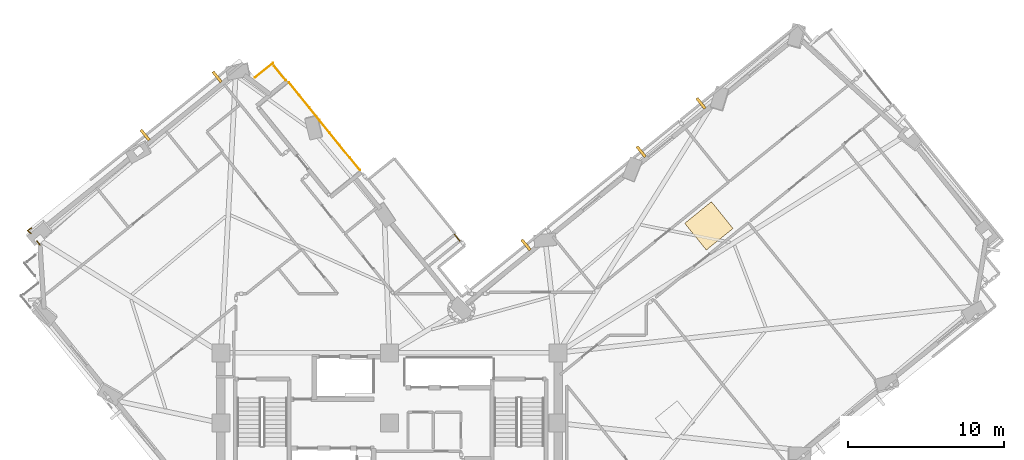
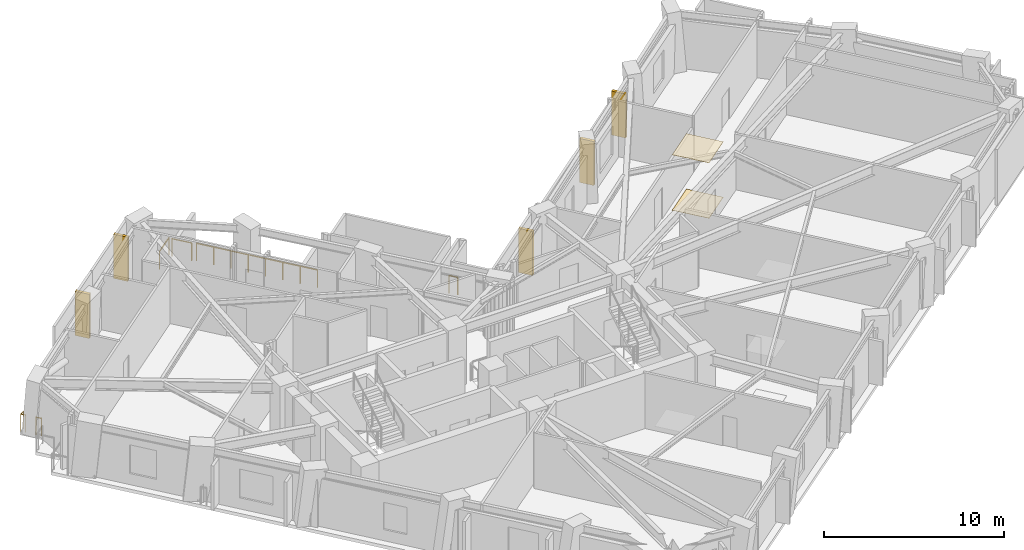
# One storey, part 13 of 14: 6 railings, 5 shading devices, 2 coverings.
"""IFC4 building model written with IfcOpenShell, lengths in metres."""

from ifc_helpers import new_model, si_unit, direction, frame, origin, origin_2d, place, context, subcontext, project, spatial, rectangle, circle, extrude, material, layer, layer_set, type_object, element, save


model = new_model("IFC4")

# Units and contexts
model_context = context("Model", 3, precision=1e-05, world=origin(), true_north=direction((0.0, 1.0)))
body_context = subcontext(model_context, "Body", "Model", "MODEL_VIEW")
ifc_project = project(units=[si_unit("LENGTHUNIT", "METRE"), si_unit("AREAUNIT", "SQUARE_METRE"), si_unit("VOLUMEUNIT", "CUBIC_METRE"), si_unit("PLANEANGLEUNIT", "RADIAN"), si_unit("MASSUNIT", "GRAM", prefix="KILO")], contexts=[model_context])

# Site, building, storey
site_placement = place(None, origin())
site = spatial("IfcSite", under=ifc_project, at=site_placement, CompositionType="ELEMENT")
building_placement = place(site_placement, origin())
building = spatial("IfcBuilding", under=site, at=building_placement, Name="Gaonmaruhae Medical Tower", CompositionType="ELEMENT")
storey_placement = place(building_placement, frame((0.0, 0.0, 189.800048828125)))
storey = spatial("IfcBuildingStorey", under=building, at=storey_placement, Name="L45", CompositionType="ELEMENT", Elevation=189.800048828125)

# Coverings
ifc_material_1 = material(Name="Acoustic mineral ceiling tile", Category="finish")
ifc_layer_1 = layer(ifc_material_1, 0.02490234375)
ifc_layer_set_1 = layer_set([ifc_layer_1], Name="Acoustic mineral ceiling tile")
covering_type_1 = type_object("IfcCoveringType", Name="CLG-01 Antimicrobial Acoustic Mineral Ceiling", PredefinedType="CEILING", material=ifc_layer_set_1)
covering_1_placement = place(storey_placement, frame((45.24853515625, 24.92578125, 3.7548828125), z_axis=(0.0, 0.0, 1.0), x_axis=(0.777694851116, 0.628641963719, 0.0)))
element("IfcCovering", 1, at=covering_1_placement, inside=storey, type_object=covering_type_1, Name="L45 Clinical Corridor Acoustic Ceiling", PredefinedType="CEILING", context=body_context, shape_type="SweptSolid", body=[
    extrude(rectangle(XDim=2.199951171875, YDim=2.199951171875, at=origin_2d()), origin(), (0.0, 0.0, 1.0), 0.02490234375),
])
ifc_material_2 = material(Name="Seamless clinical vinyl flooring", Category="finish")
ifc_layer_2 = layer(ifc_material_2, 0.014892578125)
ifc_layer_set_2 = layer_set([ifc_layer_2], Name="Seamless clinical vinyl flooring")
covering_type_2 = type_object("IfcCoveringType", Name="FLR-01 Seamless Clinical Antistatic Vinyl Flooring", PredefinedType="FLOORING", material=ifc_layer_set_2)
covering_2_placement = place(storey_placement, frame((45.24853515625, 24.92578125, 0.00048828125), z_axis=(0.0, 0.0, 1.0), x_axis=(0.777694851116, 0.628641963719, 0.0)))
element("IfcCovering", 2, at=covering_2_placement, inside=storey, type_object=covering_type_2, Name="L45 Clinical Corridor Vinyl Flooring", PredefinedType="FLOORING", context=body_context, shape_type="SweptSolid", body=[
    extrude(rectangle(XDim=2.199951171875, YDim=2.199951171875, at=origin_2d()), origin(), (0.0, 0.0, 1.0), 0.014892578125),
])

# Railings
ifc_material_3 = material(Name="Stainless steel 316L and laminated safety glass", Category="steel")
ifc_layer_3 = layer(ifc_material_3, 0.080078125)
ifc_layer_set_3 = layer_set([ifc_layer_3], Name="Stainless steel 316L and laminated safety glass")
railing_type = type_object("IfcRailingType", Name="GD-120 Outdoor Terrace Safety Glass & Steel Balustrade", PredefinedType="BALUSTRADE", material=ifc_layer_set_3)
railing_1_placement = place(storey_placement, frame((22.89892578125, 28.493896484375, 0.0)))
element("IfcRailing", 3, at=railing_1_placement, inside=storey, type_object=railing_type, Name="L45 Terrace Safety Guard RL-SLB-L45-TER-02", PredefinedType="BALUSTRADE", context=body_context, shape_type="SweptSolid", body=[
    extrude(circle(Radius=0.02392578125, at=origin_2d()), frame((0.0, 0.0, 1.17578125), z_axis=(-0.628640129979, 0.777696333398, 0.0), x_axis=(-0.777696333398, -0.628640129979, 0.0)), (0.0, 0.0, 1.0), 7.2001953125),
    extrude(circle(Radius=0.02099609375, at=origin_2d()), origin(), (0.0, 0.0, 1.0), 1.15185546875),
    extrude(circle(Radius=0.02099609375, at=origin_2d()), frame((-0.646728515625, 0.800048828125, 0.0)), (0.0, 0.0, 1.0), 1.15185546875),
    extrude(circle(Radius=0.02099609375, at=origin_2d()), frame((-1.293212890625, 1.599853515625, 0.0)), (0.0, 0.0, 1.0), 1.15185546875),
    extrude(circle(Radius=0.02099609375, at=origin_2d()), frame((-1.93994140625, 2.39990234375, 0.0)), (0.0, 0.0, 1.0), 1.15185546875),
    extrude(circle(Radius=0.02099609375, at=origin_2d()), frame((-2.58642578125, 3.19970703125, 0.0)), (0.0, 0.0, 1.0), 1.15185546875),
    extrude(circle(Radius=0.02099609375, at=origin_2d()), frame((-3.233154296875, 3.999755859375, 0.0)), (0.0, 0.0, 1.0), 1.15185546875),
    extrude(circle(Radius=0.02099609375, at=origin_2d()), frame((-3.879638671875, 4.799560546875, 0.0)), (0.0, 0.0, 1.0), 1.15185546875),
    extrude(circle(Radius=0.02099609375, at=origin_2d()), frame((-4.5263671875, 5.599609375, 0.0)), (0.0, 0.0, 1.0), 1.15185546875),
])
railing_2_placement = place(storey_placement, frame((2.423095703125, 23.71240234375, 0.0)))
element("IfcRailing", 4, at=railing_2_placement, inside=storey, type_object=railing_type, Name="L45 Perimeter Slab Edge Safety Balustrade 13", PredefinedType="BALUSTRADE", context=body_context, shape_type="SweptSolid", body=[
    extrude(circle(Radius=0.02392578125, at=origin_2d()), frame((0.0, 0.0, 1.17578125), z_axis=(-0.629241224047, 0.777210062956, 0.0), x_axis=(-0.777210062956, -0.629241224047, 0.0)), (0.0, 0.0, 1.0), 0.32666015625),
    extrude(circle(Radius=0.02099609375, at=origin_2d()), origin(), (0.0, 0.0, 1.0), 1.15185546875),
    extrude(circle(Radius=0.02099609375, at=origin_2d()), frame((-0.20556640625, 0.25390625, 0.0)), (0.0, 0.0, 1.0), 1.15185546875),
])
railing_3_placement = place(storey_placement, frame((16.197021484375, 34.4306640625, 0.0)))
element("IfcRailing", 5, at=railing_3_placement, inside=storey, type_object=railing_type, Name="L45 Perimeter Slab Edge Safety Balustrade 14", PredefinedType="BALUSTRADE", context=body_context, shape_type="SweptSolid", body=[
    extrude(circle(Radius=0.02392578125, at=origin_2d()), frame((0.0, 0.0, 1.17578125), z_axis=(0.777743081687, 0.628582292853, 0.0), x_axis=(-0.628582292853, 0.777743081687, 0.0)), (0.0, 0.0, 1.0), 1.4599609375),
    extrude(circle(Radius=0.02099609375, at=origin_2d()), origin(), (0.0, 0.0, 1.0), 1.15185546875),
    extrude(circle(Radius=0.02099609375, at=origin_2d()), frame((1.135498046875, 0.917724609375, 0.0)), (0.0, 0.0, 1.0), 1.15185546875),
])
railing_4_placement = place(storey_placement, frame((17.4130859375, 35.169189453125, 0.0)))
element("IfcRailing", 6, at=railing_4_placement, inside=storey, type_object=railing_type, Name="L45 Perimeter Slab Edge Safety Balustrade 15", PredefinedType="BALUSTRADE", context=body_context, shape_type="SweptSolid", body=[
    extrude(circle(Radius=0.02392578125, at=origin_2d()), frame((0.0, 0.0, 1.17578125), z_axis=(0.628674223639, -0.777668773021, 0.0), x_axis=(0.777668773021, 0.628674223639, 0.0)), (0.0, 0.0, 1.0), 1.1796875),
    extrude(circle(Radius=0.02099609375, at=origin_2d()), origin(), (0.0, 0.0, 1.0), 1.15185546875),
    extrude(circle(Radius=0.02099609375, at=origin_2d()), frame((0.74169921875, -0.91748046875, 0.0)), (0.0, 0.0, 1.0), 1.15185546875),
])
railing_5_placement = place(storey_placement, frame((28.968505859375, 24.37353515625, 0.0)))
element("IfcRailing", 7, at=railing_5_placement, inside=storey, type_object=railing_type, Name="L45 Perimeter Slab Edge Safety Balustrade 16", PredefinedType="BALUSTRADE", context=body_context, shape_type="SweptSolid", body=[
    extrude(circle(Radius=0.02392578125, at=origin_2d()), frame((0.0, 0.0, 1.17578125), z_axis=(0.628752356638, -0.777605603132, 0.0), x_axis=(0.777605603132, 0.628752356638, 0.0)), (0.0, 0.0, 1.0), 0.52001953125),
    extrude(circle(Radius=0.02099609375, at=origin_2d()), origin(), (0.0, 0.0, 1.0), 1.15185546875),
    extrude(circle(Radius=0.02099609375, at=origin_2d()), frame((0.326904296875, -0.404296875, 0.0)), (0.0, 0.0, 1.0), 1.15185546875),
])
railing_6_placement = place(storey_placement, frame((1.84033203125, 24.43310546875, 0.0)))
element("IfcRailing", 8, at=railing_6_placement, inside=storey, type_object=railing_type, Name="L45 Perimeter Corner Safety Balustrade 19", PredefinedType="BALUSTRADE", context=body_context, shape_type="SweptSolid", body=[
    extrude(circle(Radius=0.02392578125, at=origin_2d()), frame((0.0, 0.0, 1.17578125), z_axis=(-0.718917513873, 0.69509539507, 0.0), x_axis=(-0.69509539507, -0.718917513873, 0.0)), (0.0, 0.0, 1.0), 0.286865234375),
    extrude(circle(Radius=0.02392578125, at=origin_2d()), frame((-0.206298828125, 0.199462890625, 1.17578125), z_axis=(0.848666456915, 0.528928392987, 0.0), x_axis=(-0.528928392987, 0.848666456915, 0.0)), (0.0, 0.0, 1.0), 0.287109375),
    extrude(circle(Radius=0.02099609375, at=origin_2d()), origin(), (0.0, 0.0, 1.0), 1.15185546875),
    extrude(circle(Radius=0.02099609375, at=origin_2d()), frame((-0.206298828125, 0.199462890625, 0.0)), (0.0, 0.0, 1.0), 1.15185546875),
    extrude(circle(Radius=0.02099609375, at=origin_2d()), frame((0.037353515625, 0.351318359375, 0.0)), (0.0, 0.0, 1.0), 1.15185546875),
])

# Shading devices
ifc_material_4 = material(Name="Pigmented coral precast concrete C45/55", Category="concrete")
shading_device_type = type_object("IfcShadingDeviceType", Name="SD-FIN1 Tower Vertical Coral Precast Shading Fin", PredefinedType="USERDEFINED", material=ifc_material_4)
for number, where, z_axis, x_axis, name in (
    (9, (40.9130859375, 29.676513671875, 0.0400390625), (0.0, 0.0, 1.0), (0.777694851116, 0.628641963719, 0.0), "L45 Vertical Coral Precast Shading Fin EN01"),
    (10, (44.744384765625, 32.7734375, 0.0400390625), (0.0, 0.0, 1.0), (0.777694851116, 0.628641963719, 0.0), "L45 Vertical Coral Precast Shading Fin EN01B"),
):
    element("IfcShadingDevice", number, at=place(storey_placement, frame(where, z_axis=z_axis, x_axis=x_axis)), inside=storey, type_object=shading_device_type, Name=name, ObjectType="FIN", PredefinedType="USERDEFINED", context=body_context, shape_type="SweptSolid", body=[
        extrude(rectangle(XDim=0.179931640625, YDim=0.85009765625, at=origin_2d()), origin(), (0.0, 0.0, 1.0), 2.985107421875),
    ])
for number, where, z_axis, x_axis, name in (
    (11, (33.534423828125, 23.7119140625, 0.132568359375), (0.0, 0.0, 1.0), (0.777694851116, 0.628641963719, 0.0), "L45 Vertical Coral Precast Shading Fin EN03B"),
    (12, (9.14501953125, 30.74267578125, 0.132568359375), (0.0, 0.0, 1.0), (0.777694851116, 0.628641963719, 0.0), "L45 Vertical Coral Precast Shading Fin N01"),
    (13, (13.757080078125, 34.470703125, 0.132568359375), (0.0, 0.0, 1.0), (0.777694851116, 0.628641963719, 0.0), "L45 Vertical Coral Precast Shading Fin N01B"),
):
    element("IfcShadingDevice", number, at=place(storey_placement, frame(where, z_axis=z_axis, x_axis=x_axis)), inside=storey, type_object=shading_device_type, Name=name, ObjectType="FIN", PredefinedType="USERDEFINED", context=body_context, shape_type="SweptSolid", body=[
        extrude(rectangle(XDim=0.179931640625, YDim=0.85009765625, at=origin_2d()), origin(), (0.0, 0.0, 1.0), 3.0),
    ])

save(model, "model.ifc")
